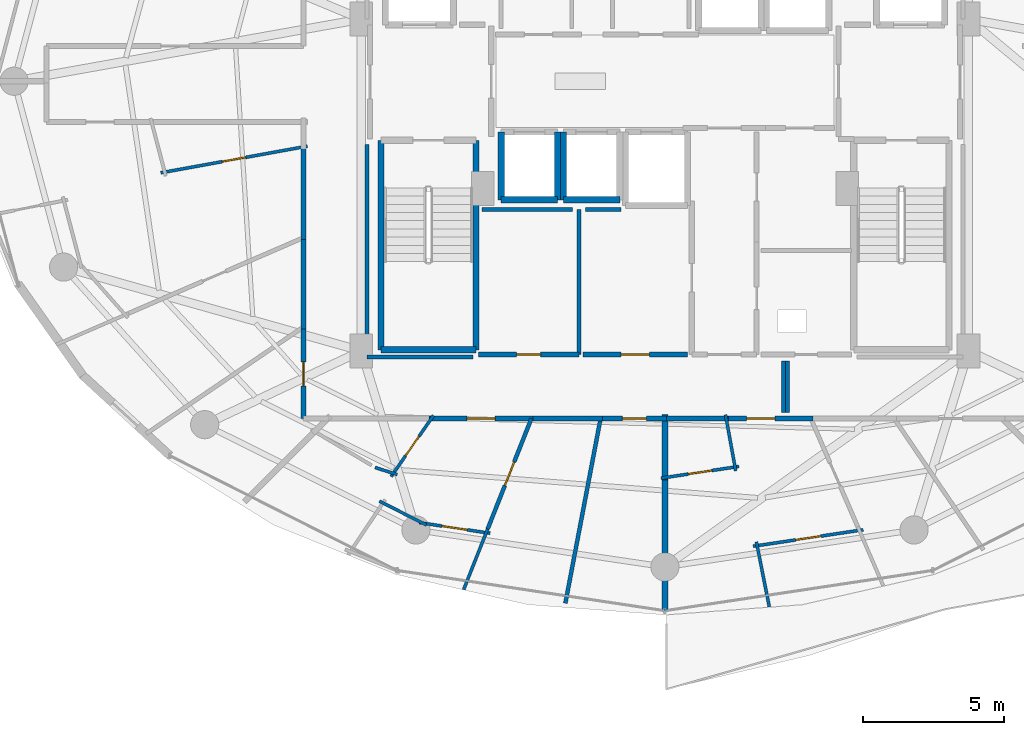
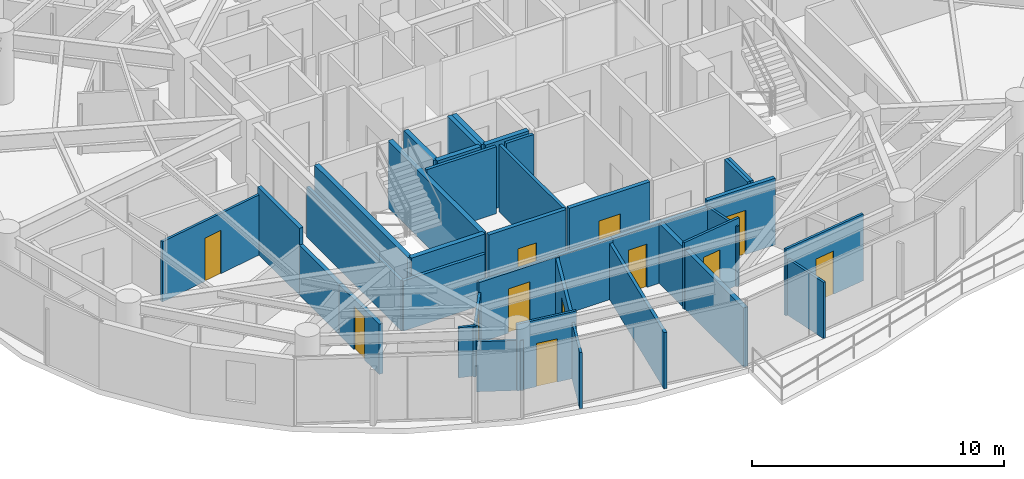
# One storey, part 22 of 31: 39 walls, 12 doors, 12 openings.
"""IFC4 building model written with IfcOpenShell, lengths in metres."""

from ifc_helpers import new_model, si_unit, direction, frame, frame_2d, origin, place, context, subcontext, project, spatial, rectangle, extrude, material, layer, layer_set, type_object, element, fill, save


model = new_model("IFC4")

# Units and contexts
model_context = context("Model", 3, precision=1e-05, world=origin(), true_north=direction((0.0, 1.0)))
body_context = subcontext(model_context, "Body", "Model", "MODEL_VIEW")
ifc_project = project(units=[si_unit("LENGTHUNIT", "METRE"), si_unit("AREAUNIT", "SQUARE_METRE"), si_unit("VOLUMEUNIT", "CUBIC_METRE"), si_unit("PLANEANGLEUNIT", "RADIAN"), si_unit("MASSUNIT", "GRAM", prefix="KILO")], contexts=[model_context])

# Site, building, storey
site_placement = place(None, origin())
site = spatial("IfcSite", under=ifc_project, at=site_placement, CompositionType="ELEMENT")
building_placement = place(site_placement, origin())
building = spatial("IfcBuilding", under=site, at=building_placement, Name="Vorneva Point Tower", CompositionType="ELEMENT")
storey_placement = place(building_placement, frame((0.0, 0.0, 129.10009765625)))
storey = spatial("IfcBuildingStorey", under=building, at=storey_placement, Name="L34", CompositionType="ELEMENT", Elevation=129.10009765625)

# Wall, opening, door
ifc_material_1 = material(Name="Fire-rated acoustic gypsum stud partition", Category="gypsum")
ifc_layer_1 = layer(ifc_material_1, 0.110107421875)
ifc_layer_set_1 = layer_set([ifc_layer_1], Name="Fire-rated acoustic gypsum stud partition")
wall_type_1 = type_object("IfcWallType", Name="WL-PART-110", PredefinedType="PARTITIONING", material=ifc_layer_set_1)
wall_1_placement = place(storey_placement, frame((25.337646484375, 23.699951171875, 0.0), z_axis=(0.0, 0.0, 1.0), x_axis=(-0.983892120625, -0.178763237197, 0.0)))
wall_1 = element("IfcWall", 1, at=wall_1_placement, inside=storey, type_object=wall_type_1, Name="L34 Interior Partition 104", PredefinedType="PARTITIONING", context=body_context, shape_type="SweptSolid", body=[
    extrude(rectangle(XDim=5.2744140625, YDim=0.110107421875, at=frame_2d((2.63720703125, 0.0))), origin(), (0.0, 0.0, 1.0), 2.921875),
])
opening_1_placement = place(wall_1_placement, frame((2.212158203125, 0.0, 0.0)))
opening_1 = element("IfcOpeningElement", 2, at=opening_1_placement, cuts=wall_1, Name="Opening ID-02", PredefinedType="OPENING", context=body_context, shape_type="SweptSolid", body=[
    extrude(rectangle(XDim=0.85009765625, YDim=2.10009765625, at=frame_2d((0.425048828125, 1.050048828125))), frame((0.0, 0.06982421875, 0.0), z_axis=(0.0, -1.0, 0.0), x_axis=(1.0, 0.0, 0.0)), (0.0, 0.0, 1.0), 0.139892578125),
])
ifc_material_2 = material(Name="Engineered oak fire-rated door leaf", Category="wood")
door_type_1 = type_object("IfcDoorType", Name="DR-BATH-850", OperationType="NOTDEFINED", PredefinedType="DOOR", material=ifc_material_2)
door_1_placement = place(opening_1_placement, origin())
door_1 = element("IfcDoor", 3, at=door_1_placement, inside=storey, type_object=door_type_1, Name="L34 Door Living and Dining Room L34-05 / Bathroom L34-05", OperationType="SINGLE_SWING_RIGHT", OverallHeight=2.10009765625, OverallWidth=0.85009765625, PredefinedType="DOOR", context=body_context, shape_type="SweptSolid", body=[
    extrude(rectangle(XDim=0.85009765625, YDim=2.10009765625, at=frame_2d((0.425048828125, 1.050048828125))), frame((0.0, 0.02490234375, 0.0), z_axis=(0.0, -1.0, 0.0), x_axis=(1.0, 0.0, 0.0)), (0.0, 0.0, 1.0), 0.050048828125),
])
fill(opening_1, door_1)

wall_2_placement = place(storey_placement, frame((29.8037109375, 14.1650390625, 0.0), z_axis=(0.0, 0.0, 1.0), x_axis=(-0.569156972472, -0.822228885826, 0.0)))
wall_2 = element("IfcWall", 4, at=wall_2_placement, inside=storey, type_object=wall_type_1, Name="L34 Interior Partition 115", PredefinedType="PARTITIONING", context=body_context, shape_type="SweptSolid", body=[
    extrude(rectangle(XDim=2.634521484375, YDim=0.110107421875, at=frame_2d((1.3173828125, 0.0))), origin(), (0.0, 0.0, 1.0), 2.431884765625),
])
opening_2_placement = place(wall_2_placement, frame((0.892333984375, 0.0, 0.0)))
opening_2 = element("IfcOpeningElement", 5, at=opening_2_placement, cuts=wall_2, Name="Opening ID-02", PredefinedType="OPENING", context=body_context, shape_type="SweptSolid", body=[
    extrude(rectangle(XDim=0.85009765625, YDim=2.10009765625, at=frame_2d((0.425048828125, 1.050048828125))), frame((0.0, 0.06982421875, 0.0), z_axis=(0.0, -1.0, 0.0), x_axis=(1.0, 0.0, 0.0)), (0.0, 0.0, 1.0), 0.139892578125),
])
door_2_placement = place(opening_2_placement, origin())
door_2 = element("IfcDoor", 6, at=door_2_placement, inside=storey, type_object=door_type_1, Name="L34 Door Living and Dining Room L34-06 / Bathroom L34-06", OperationType="SINGLE_SWING_RIGHT", OverallHeight=2.10009765625, OverallWidth=0.85009765625, PredefinedType="DOOR", context=body_context, shape_type="SweptSolid", body=[
    extrude(rectangle(XDim=0.85009765625, YDim=2.10009765625, at=frame_2d((0.425048828125, 1.050048828125))), frame((0.0, 0.02490234375, 0.0), z_axis=(0.0, -1.0, 0.0), x_axis=(1.0, 0.0, 0.0)), (0.0, 0.0, 1.0), 0.050048828125),
])
fill(opening_2, door_2)

# Walls
wall_3_placement = place(storey_placement, frame((28.517333984375, 12.0712890625, 0.0), z_axis=(0.0, 0.0, 1.0), x_axis=(-0.952627998304, 0.304137956932, 0.0)))
element("IfcWall", 7, at=wall_3_placement, inside=storey, type_object=wall_type_1, Name="L34 Interior Partition 116", PredefinedType="PARTITIONING", context=body_context, shape_type="SweptSolid", body=[
    extrude(rectangle(XDim=0.819580078125, YDim=0.110107421875, at=frame_2d((0.40966796875, 0.0))), origin(), (0.0, 0.0, 1.0), 2.431884765625),
])
wall_4_placement = place(storey_placement, frame((27.887939453125, 11.127197265625, 0.0), z_axis=(0.0, 0.0, 1.0), x_axis=(0.892534718882, -0.450978686403, 0.0)))
element("IfcWall", 8, at=wall_4_placement, inside=storey, type_object=wall_type_1, Name="L34 Interior Partition 119", PredefinedType="PARTITIONING", context=body_context, shape_type="SweptSolid", body=[
    extrude(rectangle(XDim=1.865478515625, YDim=0.110107421875, at=frame_2d((0.9326171875, 0.0))), origin(), (0.0, 0.0, 1.0), 2.431884765625),
])

# Wall, opening, door
wall_5_placement = place(storey_placement, frame((29.28955078125, 10.369873046875, 0.0), z_axis=(0.0, 0.0, 1.0), x_axis=(0.988887788943, -0.148663851958, 0.0)))
wall_5 = element("IfcWall", 9, at=wall_5_placement, inside=storey, type_object=wall_type_1, Name="L34 Interior Partition 120", PredefinedType="PARTITIONING", context=body_context, shape_type="SweptSolid", body=[
    extrude(rectangle(XDim=2.547119140625, YDim=0.110107421875, at=frame_2d((1.2734375, 0.0))), origin(), (0.0, 0.0, 1.0), 3.239990234375),
])
opening_3_placement = place(wall_5_placement, frame((0.823486328125, 0.0, 0.0)))
opening_3 = element("IfcOpeningElement", 10, at=opening_3_placement, cuts=wall_5, Name="Opening ID-01", PredefinedType="OPENING", context=body_context, shape_type="SweptSolid", body=[
    extrude(rectangle(XDim=0.89990234375, YDim=2.10009765625, at=frame_2d((0.449951171875, 1.050048828125))), frame((0.0, 0.06982421875, 0.0), z_axis=(0.0, -1.0, 0.0), x_axis=(1.0, 0.0, 0.0)), (0.0, 0.0, 1.0), 0.139892578125),
])
door_type_2 = type_object("IfcDoorType", Name="DR-ROOM-900", OperationType="NOTDEFINED", PredefinedType="DOOR", material=ifc_material_2)
door_3_placement = place(opening_3_placement, origin())
door_3 = element("IfcDoor", 11, at=door_3_placement, inside=storey, type_object=door_type_2, Name="L34 Door Living and Dining Room L34-06 / Kitchen L34-06", OperationType="SINGLE_SWING_RIGHT", OverallHeight=2.10009765625, OverallWidth=0.89990234375, PredefinedType="DOOR", context=body_context, shape_type="SweptSolid", body=[
    extrude(rectangle(XDim=0.89990234375, YDim=2.10009765625, at=frame_2d((0.449951171875, 1.050048828125))), frame((0.0, 0.02490234375, 0.0), z_axis=(0.0, -1.0, 0.0), x_axis=(1.0, 0.0, 0.0)), (0.0, 0.0, 1.0), 0.050048828125),
])
fill(opening_3, door_3)

# Walls
wall_6_placement = place(storey_placement, frame((31.721435546875, 10.14208984375, 0.0), z_axis=(0.0, 0.0, 1.0), x_axis=(-0.368016079814, -0.929819426017, 0.0)))
element("IfcWall", 12, at=wall_6_placement, inside=storey, type_object=wall_type_1, Name="L34 Interior Partition 121", PredefinedType="PARTITIONING", context=body_context, shape_type="SweptSolid", body=[
    extrude(rectangle(XDim=2.309326171875, YDim=0.110107421875, at=frame_2d((1.15478515625, 0.0))), origin(), (0.0, 0.0, 1.0), 2.727783203125),
])
wall_7_placement = place(storey_placement, frame((40.14599609375, 14.187744140625, 0.0), z_axis=(0.0, 0.0, 1.0), x_axis=(0.178662196449, -0.983910473346, 0.0)))
element("IfcWall", 13, at=wall_7_placement, inside=storey, type_object=wall_type_1, Name="L34 Interior Partition 127", PredefinedType="PARTITIONING", context=body_context, shape_type="SweptSolid", body=[
    extrude(rectangle(XDim=2.02099609375, YDim=0.110107421875, at=frame_2d((1.010498046875, 0.0))), origin(), (0.0, 0.0, 1.0), 2.921875),
])

# Wall, opening, door
wall_8_placement = place(storey_placement, frame((40.620361328125, 12.35791015625, 0.0), z_axis=(0.0, 0.0, 1.0), x_axis=(-0.988884941862, -0.148682789046, 0.0)))
wall_8 = element("IfcWall", 14, at=wall_8_placement, inside=storey, type_object=wall_type_1, Name="L34 Interior Partition 128", PredefinedType="PARTITIONING", context=body_context, shape_type="SweptSolid", body=[
    extrude(rectangle(XDim=2.789794921875, YDim=0.110107421875, at=frame_2d((1.39501953125, 0.0))), origin(), (0.0, 0.0, 1.0), 3.239990234375),
])
opening_4_placement = place(wall_8_placement, frame((0.969970703125, 0.0, 0.0)))
opening_4 = element("IfcOpeningElement", 15, at=opening_4_placement, cuts=wall_8, Name="Opening ID-02", PredefinedType="OPENING", context=body_context, shape_type="SweptSolid", body=[
    extrude(rectangle(XDim=0.85009765625, YDim=2.10009765625, at=frame_2d((0.425048828125, 1.050048828125))), frame((0.0, 0.06982421875, 0.0), z_axis=(0.0, -1.0, 0.0), x_axis=(1.0, 0.0, 0.0)), (0.0, 0.0, 1.0), 0.139892578125),
])
door_4_placement = place(opening_4_placement, origin())
door_4 = element("IfcDoor", 16, at=door_4_placement, inside=storey, type_object=door_type_1, Name="L34 Door Living and Dining Room L34-07 / Bathroom L34-07", OperationType="SINGLE_SWING_LEFT", OverallHeight=2.10009765625, OverallWidth=0.85009765625, PredefinedType="DOOR", context=body_context, shape_type="SweptSolid", body=[
    extrude(rectangle(XDim=0.85009765625, YDim=2.10009765625, at=frame_2d((0.425048828125, 1.050048828125))), frame((0.0, 0.02490234375, 0.0), z_axis=(0.0, -1.0, 0.0), x_axis=(1.0, 0.0, 0.0)), (0.0, 0.0, 1.0), 0.050048828125),
])
fill(opening_4, door_4)

wall_9_placement = place(storey_placement, frame((41.127685546875, 9.5302734375, 0.0), z_axis=(0.0, 0.0, 1.0), x_axis=(0.988884902331, 0.148683051965, 0.0)))
wall_9 = element("IfcWall", 17, at=wall_9_placement, inside=storey, type_object=wall_type_1, Name="L34 Interior Partition 129", PredefinedType="PARTITIONING", context=body_context, shape_type="SweptSolid", body=[
    extrude(rectangle(XDim=3.9375, YDim=0.110107421875, at=frame_2d((1.96875, 0.0))), origin(), (0.0, 0.0, 1.0), 3.239990234375),
])
opening_5_placement = place(wall_9_placement, frame((1.518798828125, 0.0, 0.0)))
opening_5 = element("IfcOpeningElement", 18, at=opening_5_placement, cuts=wall_9, Name="Opening ID-01", PredefinedType="OPENING", context=body_context, shape_type="SweptSolid", body=[
    extrude(rectangle(XDim=0.89990234375, YDim=2.10009765625, at=frame_2d((0.449951171875, 1.050048828125))), frame((0.0, 0.06982421875, 0.0), z_axis=(0.0, -1.0, 0.0), x_axis=(1.0, 0.0, 0.0)), (0.0, 0.0, 1.0), 0.139892578125),
])
door_5_placement = place(opening_5_placement, origin())
door_5 = element("IfcDoor", 19, at=door_5_placement, inside=storey, type_object=door_type_2, Name="L34 Door Living and Dining Room L34-07 / Kitchen L34-07", OperationType="SINGLE_SWING_RIGHT", OverallHeight=2.10009765625, OverallWidth=0.89990234375, PredefinedType="DOOR", context=body_context, shape_type="SweptSolid", body=[
    extrude(rectangle(XDim=0.89990234375, YDim=2.10009765625, at=frame_2d((0.449951171875, 1.050048828125))), frame((0.0, 0.02490234375, 0.0), z_axis=(0.0, -1.0, 0.0), x_axis=(1.0, 0.0, 0.0)), (0.0, 0.0, 1.0), 0.050048828125),
])
fill(opening_5, door_5)

# Walls
wall_10_placement = place(storey_placement, frame((41.6962890625, 7.38671875, 0.0), z_axis=(0.0, 0.0, 1.0), x_axis=(-0.194975537261, 0.980808105528, 0.0)))
element("IfcWall", 20, at=wall_10_placement, inside=storey, type_object=wall_type_1, Name="L34 Interior Partition 130", PredefinedType="PARTITIONING", context=body_context, shape_type="SweptSolid", body=[
    extrude(rectangle(XDim=2.346435546875, YDim=0.110107421875, at=frame_2d((1.17333984375, 0.0))), origin(), (0.0, 0.0, 1.0), 2.727783203125),
])
ifc_layer_2 = layer(ifc_material_1, 0.139892578125)
ifc_layer_set_2 = layer_set([ifc_layer_2], Name="Fire-rated acoustic gypsum stud partition")
wall_type_2 = type_object("IfcWallType", Name="WL-PART-140", PredefinedType="PARTITIONING", material=ifc_layer_set_2)
wall_11_placement = place(storey_placement, frame((34.949951171875, 16.320068359375, 0.0), z_axis=(0.0, 0.0, 1.0), x_axis=(0.0, 1.0, 0.0)))
element("IfcWall", 21, at=wall_11_placement, inside=storey, type_object=wall_type_2, Name="L34 Interior Partition 031", PredefinedType="PARTITIONING", context=body_context, shape_type="SweptSolid", body=[
    extrude(rectangle(XDim=5.1298828125, YDim=0.139892578125, at=frame_2d((2.56494140625, 0.0))), origin(), (0.0, 0.0, 1.0), 3.239990234375),
])

# Wall, opening, door
wall_12_placement = place(storey_placement, frame((31.7216796875, 10.14208984375, 0.0), z_axis=(0.0, 0.0, 1.0), x_axis=(0.368143652048, 0.929768923688, 0.0)))
wall_12 = element("IfcWall", 22, at=wall_12_placement, inside=storey, type_object=wall_type_2, Name="L34 Interior Partition 123", PredefinedType="PARTITIONING", context=body_context, shape_type="SweptSolid", body=[
    extrude(rectangle(XDim=4.203125, YDim=0.139892578125, at=frame_2d((2.1015625, 0.0))), origin(), (0.0, 0.0, 1.0), 2.8740234375),
])
opening_6_placement = place(wall_12_placement, frame((1.651611328125, 0.0, 0.0)))
opening_6 = element("IfcOpeningElement", 23, at=opening_6_placement, cuts=wall_12, Name="Opening ID-01", PredefinedType="OPENING", context=body_context, shape_type="SweptSolid", body=[
    extrude(rectangle(XDim=0.89990234375, YDim=2.10009765625, at=frame_2d((0.449951171875, 1.050048828125))), frame((0.0, 0.0849609375, 0.0), z_axis=(0.0, -1.0, 0.0), x_axis=(1.0, 0.0, 0.0)), (0.0, 0.0, 1.0), 0.169677734375),
])
door_6_placement = place(opening_6_placement, origin())
door_6 = element("IfcDoor", 24, at=door_6_placement, inside=storey, type_object=door_type_2, Name="L34 Door Living and Dining Room L34-06 / Master Bedroom L34-06.1", OperationType="SINGLE_SWING_RIGHT", OverallHeight=2.10009765625, OverallWidth=0.89990234375, PredefinedType="DOOR", context=body_context, shape_type="SweptSolid", body=[
    extrude(rectangle(XDim=0.89990234375, YDim=2.10009765625, at=frame_2d((0.449951171875, 1.050048828125))), frame((0.0, 0.02490234375, 0.0), z_axis=(0.0, -1.0, 0.0), x_axis=(1.0, 0.0, 0.0)), (0.0, 0.0, 1.0), 0.050048828125),
])
fill(opening_6, door_6)

# Walls
wall_13_placement = place(storey_placement, frame((34.47412109375, 7.512939453125, 0.0), z_axis=(0.0, 0.0, 1.0), x_axis=(0.187211570084, 0.982319616025, 0.0)))
element("IfcWall", 25, at=wall_13_placement, inside=storey, type_object=wall_type_2, Name="L34 Interior Partition 124", PredefinedType="PARTITIONING", context=body_context, shape_type="SweptSolid", body=[
    extrude(rectangle(XDim=6.65478515625, YDim=0.139892578125, at=frame_2d((3.327392578125, 0.0))), origin(), (0.0, 0.0, 1.0), 2.727783203125),
])
wall_14_placement = place(storey_placement, frame((34.72998046875, 21.449951171875, 0.0), z_axis=(0.0, 0.0, 1.0), x_axis=(-1.0, 0.0, 0.0)))
element("IfcWall", 26, at=wall_14_placement, inside=storey, type_object=wall_type_2, Name="L34 Interior Closure Partition 139", PredefinedType="PARTITIONING", context=body_context, shape_type="SweptSolid", body=[
    extrude(rectangle(XDim=3.199951171875, YDim=0.139892578125, at=frame_2d((1.60009765625, 0.0))), origin(), (0.0, 0.0, 1.0), 3.239990234375),
])
wall_15_placement = place(storey_placement, frame((36.43896484375, 21.449951171875, 0.0), z_axis=(0.0, 0.0, 1.0), x_axis=(-1.0, 0.0, 0.0)))
element("IfcWall", 27, at=wall_15_placement, inside=storey, type_object=wall_type_2, Name="L34 Interior Closure Partition 140", PredefinedType="PARTITIONING", context=body_context, shape_type="SweptSolid", body=[
    extrude(rectangle(XDim=1.259033203125, YDim=0.139892578125, at=frame_2d((0.62939453125, 0.0))), origin(), (0.0, 0.0, 1.0), 3.239990234375),
])
wall_16_placement = place(storey_placement, frame((27.449951171875, 23.75390625, 0.0), z_axis=(0.0, 0.0, 1.0), x_axis=(0.0, -1.0, 0.0)))
element("IfcWall", 28, at=wall_16_placement, inside=storey, type_object=wall_type_2, Name="L34 Interior Closure Partition 150", PredefinedType="PARTITIONING", context=body_context, shape_type="SweptSolid", body=[
    extrude(rectangle(XDim=7.513916015625, YDim=0.139892578125, at=frame_2d((3.7568359375, 0.0))), origin(), (0.0, 0.0, 1.0), 2.431884765625),
])
wall_17_placement = place(storey_placement, frame((27.449951171875, 16.239990234375, 0.0), z_axis=(0.0, 0.0, 1.0), x_axis=(1.0, 0.0, 0.0)))
element("IfcWall", 29, at=wall_17_placement, inside=storey, type_object=wall_type_2, Name="L34 Interior Closure Partition 151", PredefinedType="PARTITIONING", context=body_context, shape_type="SweptSolid", body=[
    extrude(rectangle(XDim=3.7451171875, YDim=0.139892578125, at=frame_2d((1.87255859375, 0.0))), origin(), (0.0, 0.0, 1.0), 2.431884765625),
])
for number, where, z_axis, x_axis, name in (
    (30, (42.199951171875, 16.10009765625, 0.0), (0.0, 0.0, 1.0), (0.0, -1.0, 0.0), "L34 Interior Closure Partition 152"),
    (31, (42.340087890625, 14.27001953125, 0.0), (0.0, 0.0, 1.0), (0.0, 1.0, 0.0), "L34 Interior Closure Partition 153"),
):
    element("IfcWall", number, at=place(storey_placement, frame(where, z_axis=z_axis, x_axis=x_axis)), inside=storey, type_object=wall_type_2, Name=name, PredefinedType="PARTITIONING", context=body_context, shape_type="SweptSolid", body=[
        extrude(rectangle(XDim=1.830078125, YDim=0.139892578125, at=frame_2d((0.9150390625, 0.0))), origin(), (0.0, 0.0, 1.0), 3.239990234375),
    ])

# Wall, opening, door
ifc_material_3 = material(Name="Autoclaved aerated concrete blockwork", Category="masonry")
ifc_layer_3 = layer(ifc_material_3, 0.179931640625)
ifc_layer_set_3 = layer_set([ifc_layer_3], Name="Autoclaved aerated concrete blockwork")
wall_type_3 = type_object("IfcWallType", Name="WL-PART-180", PredefinedType="PARTITIONING", material=ifc_layer_set_3)
wall_18_placement = place(storey_placement, frame((31.39990234375, 16.320068359375, 0.0), z_axis=(0.0, 0.0, 1.0), x_axis=(1.0, 0.0, 0.0)))
wall_18 = element("IfcWall", 32, at=wall_18_placement, inside=storey, type_object=wall_type_3, Name="L34 Interior Partition 032", PredefinedType="PARTITIONING", context=body_context, shape_type="SweptSolid", body=[
    extrude(rectangle(XDim=3.550048828125, YDim=0.179931640625, at=frame_2d((1.77490234375, 0.0))), origin(), (0.0, 0.0, 1.0), 3.239990234375),
])
opening_7_placement = place(wall_18_placement, frame((1.35009765625, 0.0, 0.0)))
opening_7 = element("IfcOpeningElement", 33, at=opening_7_placement, cuts=wall_18, Name="Opening ID-02", PredefinedType="OPENING", context=body_context, shape_type="SweptSolid", body=[
    extrude(rectangle(XDim=0.85009765625, YDim=2.10009765625, at=frame_2d((0.425048828125, 1.050048828125))), frame((0.0, 0.10498046875, 0.0), z_axis=(0.0, -1.0, 0.0), x_axis=(1.0, 0.0, 0.0)), (0.0, 0.0, 1.0), 0.209716796875),
])
door_7_placement = place(opening_7_placement, origin())
door_7 = element("IfcDoor", 34, at=door_7_placement, inside=storey, type_object=door_type_1, Name="L34 Door Luggage Store / L34 Circulation Corridor", OperationType="SINGLE_SWING_RIGHT", OverallHeight=2.10009765625, OverallWidth=0.85009765625, PredefinedType="DOOR", context=body_context, shape_type="SweptSolid", body=[
    extrude(rectangle(XDim=0.85009765625, YDim=2.10009765625, at=frame_2d((0.425048828125, 1.050048828125))), frame((0.0, 0.02490234375, 0.0), z_axis=(0.0, -1.0, 0.0), x_axis=(1.0, 0.0, 0.0)), (0.0, 0.0, 1.0), 0.050048828125),
])
fill(opening_7, door_7)

wall_19_placement = place(storey_placement, frame((35.10009765625, 16.320068359375, 0.0), z_axis=(0.0, 0.0, 1.0), x_axis=(1.0, 0.0, 0.0)))
wall_19 = element("IfcWall", 35, at=wall_19_placement, inside=storey, type_object=wall_type_3, Name="L34 Interior Partition 033", PredefinedType="PARTITIONING", context=body_context, shape_type="SweptSolid", body=[
    extrude(rectangle(XDim=3.699951171875, YDim=0.179931640625, at=frame_2d((1.85009765625, 0.0))), origin(), (0.0, 0.0, 1.0), 3.239990234375),
])
opening_8_placement = place(wall_19_placement, frame((1.35009765625, 0.0, 0.0)))
opening_8 = element("IfcOpeningElement", 36, at=opening_8_placement, cuts=wall_19, Name="Opening UD-01", PredefinedType="OPENING", context=body_context, shape_type="SweptSolid", body=[
    extrude(rectangle(XDim=1.0, YDim=2.14990234375, at=frame_2d((0.5, 1.074951171875))), frame((0.0, 0.10498046875, 0.0), z_axis=(0.0, -1.0, 0.0), x_axis=(1.0, 0.0, 0.0)), (0.0, 0.0, 1.0), 0.209716796875),
])
door_type_3 = type_object("IfcDoorType", Name="DR-UNIT-1000", OperationType="NOTDEFINED", PredefinedType="DOOR", material=ifc_material_2)
door_8_placement = place(opening_8_placement, origin())
door_8 = element("IfcDoor", 37, at=door_8_placement, inside=storey, type_object=door_type_3, Name="L34 Door Staff Service Pantry / L34 Circulation Corridor", OperationType="SINGLE_SWING_LEFT", OverallHeight=2.14990234375, OverallWidth=1.0, PredefinedType="DOOR", context=body_context, shape_type="SweptSolid", body=[
    extrude(rectangle(XDim=1.0, YDim=2.14990234375, at=frame_2d((0.5, 1.074951171875))), frame((0.0, 0.02490234375, 0.0), z_axis=(0.0, -1.0, 0.0), x_axis=(1.0, 0.0, 0.0)), (0.0, 0.0, 1.0), 0.050048828125),
])
fill(opening_8, door_8)

# Walls
wall_20_placement = place(storey_placement, frame((25.199951171875, 23.735107421875, 0.0), z_axis=(0.0, 0.0, 1.0), x_axis=(0.0, -1.0, 0.0)))
element("IfcWall", 38, at=wall_20_placement, inside=storey, type_object=wall_type_3, Name="L34 Interior Partition 051", PredefinedType="PARTITIONING", context=body_context, shape_type="SweptSolid", body=[
    extrude(rectangle(XDim=3.339111328125, YDim=0.179931640625, at=frame_2d((1.66943359375, 0.0))), origin(), (0.0, 0.0, 1.0), 3.239990234375),
])
wall_21_placement = place(storey_placement, frame((25.199951171875, 20.39599609375, 0.0), z_axis=(0.0, 0.0, 1.0), x_axis=(0.0, -1.0, 0.0)))
element("IfcWall", 39, at=wall_21_placement, inside=storey, type_object=wall_type_3, Name="L34 Interior Partition 054", PredefinedType="PARTITIONING", context=body_context, shape_type="SweptSolid", body=[
    extrude(rectangle(XDim=3.16796875, YDim=0.179931640625, at=frame_2d((1.583984375, 0.0))), origin(), (0.0, 0.0, 1.0), 2.431884765625),
])

# Wall, opening, door
wall_22_placement = place(storey_placement, frame((25.199951171875, 17.22802734375, 0.0), z_axis=(0.0, 0.0, 1.0), x_axis=(0.0, -1.0, 0.0)))
wall_22 = element("IfcWall", 40, at=wall_22_placement, inside=storey, type_object=wall_type_3, Name="L34 Interior Partition 055", PredefinedType="PARTITIONING", context=body_context, shape_type="SweptSolid", body=[
    extrude(rectangle(XDim=3.177978515625, YDim=0.179931640625, at=frame_2d((1.5888671875, 0.0))), origin(), (0.0, 0.0, 1.0), 2.431884765625),
])
opening_9_placement = place(wall_22_placement, frame((1.1640625, 0.0, 0.0)))
opening_9 = element("IfcOpeningElement", 41, at=opening_9_placement, cuts=wall_22, Name="Opening ID-02", PredefinedType="OPENING", context=body_context, shape_type="SweptSolid", body=[
    extrude(rectangle(XDim=0.85009765625, YDim=2.10009765625, at=frame_2d((0.425048828125, 1.050048828125))), frame((0.0, 0.10498046875, 0.0), z_axis=(0.0, -1.0, 0.0), x_axis=(1.0, 0.0, 0.0)), (0.0, 0.0, 1.0), 0.209716796875),
])
door_9_placement = place(opening_9_placement, origin())
door_9 = element("IfcDoor", 42, at=door_9_placement, inside=storey, type_object=door_type_1, Name="L34 Access Door L34 Circulation Corridor", OperationType="SINGLE_SWING_RIGHT", OverallHeight=2.10009765625, OverallWidth=0.85009765625, PredefinedType="DOOR", context=body_context, shape_type="SweptSolid", body=[
    extrude(rectangle(XDim=0.85009765625, YDim=2.10009765625, at=frame_2d((0.425048828125, 1.050048828125))), frame((0.0, 0.02490234375, 0.0), z_axis=(0.0, -1.0, 0.0), x_axis=(1.0, 0.0, 0.0)), (0.0, 0.0, 1.0), 0.050048828125),
])
fill(opening_9, door_9)

wall_23_placement = place(storey_placement, frame((29.65087890625, 14.050048828125, 0.0), z_axis=(0.0, 0.0, 1.0), x_axis=(1.0, 0.0, 0.0)))
wall_23 = element("IfcWall", 43, at=wall_23_placement, inside=storey, type_object=wall_type_3, Name="L34 Interior Partition 057", PredefinedType="PARTITIONING", context=body_context, shape_type="SweptSolid", body=[
    extrude(rectangle(XDim=3.67822265625, YDim=0.179931640625, at=frame_2d((1.839111328125, 0.0))), origin(), (0.0, 0.0, 1.0), 2.921875),
])
opening_10_placement = place(wall_23_placement, frame((1.339111328125, 0.0, 0.0)))
opening_10 = element("IfcOpeningElement", 44, at=opening_10_placement, cuts=wall_23, Name="Opening UD-01", PredefinedType="OPENING", context=body_context, shape_type="SweptSolid", body=[
    extrude(rectangle(XDim=1.0, YDim=2.14990234375, at=frame_2d((0.5, 1.074951171875))), frame((0.0, 0.10498046875, 0.0), z_axis=(0.0, -1.0, 0.0), x_axis=(1.0, 0.0, 0.0)), (0.0, 0.0, 1.0), 0.209716796875),
])
door_10_placement = place(opening_10_placement, origin())
door_10 = element("IfcDoor", 45, at=door_10_placement, inside=storey, type_object=door_type_3, Name="L34 Door L34 Circulation Corridor / Living and Dining Room L34-06", OperationType="SINGLE_SWING_LEFT", OverallHeight=2.14990234375, OverallWidth=1.0, PredefinedType="DOOR", context=body_context, shape_type="SweptSolid", body=[
    extrude(rectangle(XDim=1.0, YDim=2.14990234375, at=frame_2d((0.5, 1.074951171875))), frame((0.0, 0.02490234375, 0.0), z_axis=(0.0, -1.0, 0.0), x_axis=(1.0, 0.0, 0.0)), (0.0, 0.0, 1.0), 0.050048828125),
])
fill(opening_10, door_10)

# Wall
wall_24_placement = place(storey_placement, frame((33.3291015625, 14.050048828125, 0.0), z_axis=(0.0, 0.0, 1.0), x_axis=(1.0, 0.0, 0.0)))
element("IfcWall", 46, at=wall_24_placement, inside=storey, type_object=wall_type_3, Name="L34 Interior Partition 059", PredefinedType="PARTITIONING", context=body_context, shape_type="SweptSolid", body=[
    extrude(rectangle(XDim=2.450927734375, YDim=0.179931640625, at=frame_2d((1.2255859375, 0.0))), origin(), (0.0, 0.0, 1.0), 2.921875),
])

# Wall, opening, door
wall_25_placement = place(storey_placement, frame((35.780029296875, 14.050048828125, 0.0), z_axis=(0.0, 0.0, 1.0), x_axis=(1.0, 0.0, 0.0)))
wall_25 = element("IfcWall", 47, at=wall_25_placement, inside=storey, type_object=wall_type_3, Name="L34 Interior Partition 060", PredefinedType="PARTITIONING", context=body_context, shape_type="SweptSolid", body=[
    extrude(rectangle(XDim=2.280029296875, YDim=0.179931640625, at=frame_2d((1.14013671875, 0.0))), origin(), (0.0, 0.0, 1.0), 2.921875),
])
opening_11_placement = place(wall_25_placement, frame((0.715087890625, 0.0, 0.0)))
opening_11 = element("IfcOpeningElement", 48, at=opening_11_placement, cuts=wall_25, Name="Opening ID-02", PredefinedType="OPENING", context=body_context, shape_type="SweptSolid", body=[
    extrude(rectangle(XDim=0.85009765625, YDim=2.10009765625, at=frame_2d((0.425048828125, 1.050048828125))), frame((0.0, 0.10498046875, 0.0), z_axis=(0.0, -1.0, 0.0), x_axis=(1.0, 0.0, 0.0)), (0.0, 0.0, 1.0), 0.209716796875),
])
door_11_placement = place(opening_11_placement, origin())
door_11 = element("IfcDoor", 49, at=door_11_placement, inside=storey, type_object=door_type_1, Name="L34 Access Door L34 Circulation Corridor", OperationType="SINGLE_SWING_LEFT", OverallHeight=2.10009765625, OverallWidth=0.85009765625, PredefinedType="DOOR", context=body_context, shape_type="SweptSolid", body=[
    extrude(rectangle(XDim=0.85009765625, YDim=2.10009765625, at=frame_2d((0.425048828125, 1.050048828125))), frame((0.0, 0.02490234375, 0.0), z_axis=(0.0, -1.0, 0.0), x_axis=(1.0, 0.0, 0.0)), (0.0, 0.0, 1.0), 0.050048828125),
])
fill(opening_11, door_11)

wall_26_placement = place(storey_placement, frame((40.111083984375, 14.050048828125, 0.0), z_axis=(0.0, 0.0, 1.0), x_axis=(1.0, 0.0, 0.0)))
wall_26 = element("IfcWall", 50, at=wall_26_placement, inside=storey, type_object=wall_type_3, Name="L34 Interior Partition 061", PredefinedType="PARTITIONING", context=body_context, shape_type="SweptSolid", body=[
    extrude(rectangle(XDim=3.125, YDim=0.179931640625, at=frame_2d((1.5625, 0.0))), origin(), (0.0, 0.0, 1.0), 3.239990234375),
])
opening_12_placement = place(wall_26_placement, frame((0.782470703125, 0.0, 0.0)))
opening_12 = element("IfcOpeningElement", 51, at=opening_12_placement, cuts=wall_26, Name="Opening UD-01", PredefinedType="OPENING", context=body_context, shape_type="SweptSolid", body=[
    extrude(rectangle(XDim=1.0, YDim=2.14990234375, at=frame_2d((0.5, 1.074951171875))), frame((0.0, 0.10498046875, 0.0), z_axis=(0.0, -1.0, 0.0), x_axis=(1.0, 0.0, 0.0)), (0.0, 0.0, 1.0), 0.209716796875),
])
door_12_placement = place(opening_12_placement, origin())
door_12 = element("IfcDoor", 52, at=door_12_placement, inside=storey, type_object=door_type_3, Name="L34 Door L34 Circulation Corridor / Living and Dining Room L34-07", OperationType="SINGLE_SWING_RIGHT", OverallHeight=2.14990234375, OverallWidth=1.0, PredefinedType="DOOR", context=body_context, shape_type="SweptSolid", body=[
    extrude(rectangle(XDim=1.0, YDim=2.14990234375, at=frame_2d((0.5, 1.074951171875))), frame((0.0, 0.02490234375, 0.0), z_axis=(0.0, -1.0, 0.0), x_axis=(1.0, 0.0, 0.0)), (0.0, 0.0, 1.0), 0.050048828125),
])
fill(opening_12, door_12)

# Walls
wall_27_placement = place(storey_placement, frame((37.919921875, 14.050048828125, 0.0), z_axis=(0.0, 0.0, 1.0), x_axis=(1.0, 0.0, 0.0)))
element("IfcWall", 53, at=wall_27_placement, inside=storey, type_object=wall_type_3, Name="L34 Interior Partition 062", PredefinedType="PARTITIONING", context=body_context, shape_type="SweptSolid", body=[
    extrude(rectangle(XDim=2.3310546875, YDim=0.179931640625, at=frame_2d((1.16552734375, 0.0))), origin(), (0.0, 0.0, 1.0), 2.921875),
])
ifc_layer_4 = layer(ifc_material_3, 0.199951171875)
ifc_layer_set_4 = layer_set([ifc_layer_4], Name="Autoclaved aerated concrete blockwork")
wall_type_4 = type_object("IfcWallType", Name="WL-PART-200", PredefinedType="PARTITIONING", material=ifc_layer_set_4)
wall_28_placement = place(storey_placement, frame((38.0, 7.25, 0.0), z_axis=(0.0, 0.0, 1.0), x_axis=(0.0, 1.0, 0.0)))
element("IfcWall", 54, at=wall_28_placement, inside=storey, type_object=wall_type_4, Name="L34 Interior Partition 125", PredefinedType="PARTITIONING", context=body_context, shape_type="SweptSolid", body=[
    extrude(rectangle(XDim=4.77490234375, YDim=0.199951171875, at=frame_2d((2.387451171875, 0.0))), origin(), (0.0, 0.0, 1.0), 2.8740234375),
])
wall_29_placement = place(storey_placement, frame((38.0, 11.885009765625, 0.0), z_axis=(0.0, 0.0, 1.0), x_axis=(0.0, 1.0, 0.0)))
element("IfcWall", 55, at=wall_29_placement, inside=storey, type_object=wall_type_4, Name="L34 Interior Partition 126", PredefinedType="PARTITIONING", context=body_context, shape_type="SweptSolid", body=[
    extrude(rectangle(XDim=2.304931640625, YDim=0.199951171875, at=frame_2d((1.15234375, 0.0))), origin(), (0.0, 0.0, 1.0), 2.921875),
])
ifc_material_4 = material(Name="Concrete B50 (C40/50)", Category="concrete")
ifc_layer_5 = layer(ifc_material_4, 0.219970703125)
ifc_layer_set_5 = layer_set([ifc_layer_5], Name="Concrete B50 (C40/50)")
wall_type_5 = type_object("IfcWallType", Name="WL-SHFT-220", PredefinedType="SOLIDWALL", material=ifc_layer_set_5)
wall_30_placement = place(storey_placement, frame((31.31005859375, 23.909912109375, 0.0), z_axis=(0.0, 0.0, 1.0), x_axis=(0.0, -1.0, 0.0)))
element("IfcWall", 56, at=wall_30_placement, inside=storey, type_object=wall_type_5, Name="L34 Exit Stair ST1 Shaft Wall right", PredefinedType="SOLIDWALL", context=body_context, shape_type="SweptSolid", body=[
    extrude(rectangle(XDim=7.419921875, YDim=0.219970703125, at=frame_2d((3.7099609375, 0.0))), origin(), (0.0, 0.0, 1.0), 3.239990234375),
])
wall_31_placement = place(storey_placement, frame((31.31005859375, 16.489990234375, 0.0), z_axis=(0.0, 0.0, 1.0), x_axis=(-1.0, 0.0, 0.0)))
element("IfcWall", 57, at=wall_31_placement, inside=storey, type_object=wall_type_5, Name="L34 Exit Stair ST1 Shaft Wall far", PredefinedType="SOLIDWALL", context=body_context, shape_type="SweptSolid", body=[
    extrude(rectangle(XDim=3.3701171875, YDim=0.219970703125, at=frame_2d((1.68505859375, 0.0))), origin(), (0.0, 0.0, 1.0), 3.239990234375),
])
wall_32_placement = place(storey_placement, frame((27.93994140625, 16.489990234375, 0.0), z_axis=(0.0, 0.0, 1.0), x_axis=(0.0, 1.0, 0.0)))
element("IfcWall", 58, at=wall_32_placement, inside=storey, type_object=wall_type_5, Name="L34 Exit Stair ST1 Shaft Wall left", PredefinedType="SOLIDWALL", context=body_context, shape_type="SweptSolid", body=[
    extrude(rectangle(XDim=7.419921875, YDim=0.219970703125, at=frame_2d((3.7099609375, 0.0))), origin(), (0.0, 0.0, 1.0), 3.239990234375),
])
wall_33_placement = place(storey_placement, frame((32.199951171875, 21.800048828125, 0.0), z_axis=(0.0, 0.0, 1.0), x_axis=(1.0, 0.0, 0.0)))
element("IfcWall", 59, at=wall_33_placement, inside=storey, type_object=wall_type_5, Name="L34 Lift PL4 Shaft Wall -Y", PredefinedType="SOLIDWALL", context=body_context, shape_type="SweptSolid", body=[
    extrude(rectangle(XDim=2.0, YDim=0.219970703125, at=frame_2d((1.0, 0.0))), origin(), (0.0, 0.0, 1.0), 3.239990234375),
])
for number, where, z_axis, x_axis, name in (
    (60, (34.199951171875, 21.800048828125, 0.0), (0.0, 0.0, 1.0), (0.0, 1.0, 0.0), "L34 Lift PL4 Shaft Wall +X"),
    (61, (32.199951171875, 24.199951171875, 0.0), (0.0, 0.0, 1.0), (0.0, -1.0, 0.0), "L34 Lift PL4 Shaft Wall -X"),
):
    element("IfcWall", number, at=place(storey_placement, frame(where, z_axis=z_axis, x_axis=x_axis)), inside=storey, type_object=wall_type_5, Name=name, PredefinedType="SOLIDWALL", context=body_context, shape_type="SweptSolid", body=[
        extrude(rectangle(XDim=2.39990234375, YDim=0.219970703125, at=frame_2d((1.199951171875, 0.0))), origin(), (0.0, 0.0, 1.0), 3.239990234375),
    ])
wall_34_placement = place(storey_placement, frame((34.39990234375, 21.800048828125, 0.0), z_axis=(0.0, 0.0, 1.0), x_axis=(1.0, 0.0, 0.0)))
element("IfcWall", 62, at=wall_34_placement, inside=storey, type_object=wall_type_5, Name="L34 Lift PL5 Shaft Wall -Y", PredefinedType="SOLIDWALL", context=body_context, shape_type="SweptSolid", body=[
    extrude(rectangle(XDim=2.0, YDim=0.219970703125, at=frame_2d((1.0, 0.0))), origin(), (0.0, 0.0, 1.0), 3.239990234375),
])
wall_35_placement = place(storey_placement, frame((34.39990234375, 24.199951171875, 0.0), z_axis=(0.0, 0.0, 1.0), x_axis=(0.0, -1.0, 0.0)))
element("IfcWall", 63, at=wall_35_placement, inside=storey, type_object=wall_type_5, Name="L34 Lift PL5 Shaft Wall -X", PredefinedType="SOLIDWALL", context=body_context, shape_type="SweptSolid", body=[
    extrude(rectangle(XDim=2.39990234375, YDim=0.219970703125, at=frame_2d((1.199951171875, 0.0))), origin(), (0.0, 0.0, 1.0), 3.239990234375),
])

save(model, "model.ifc")
